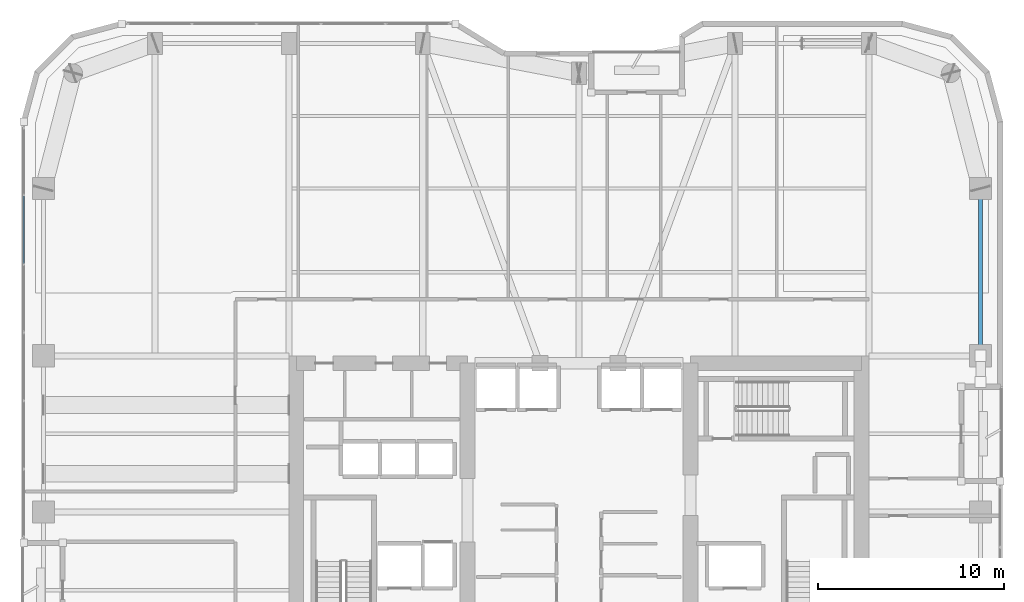
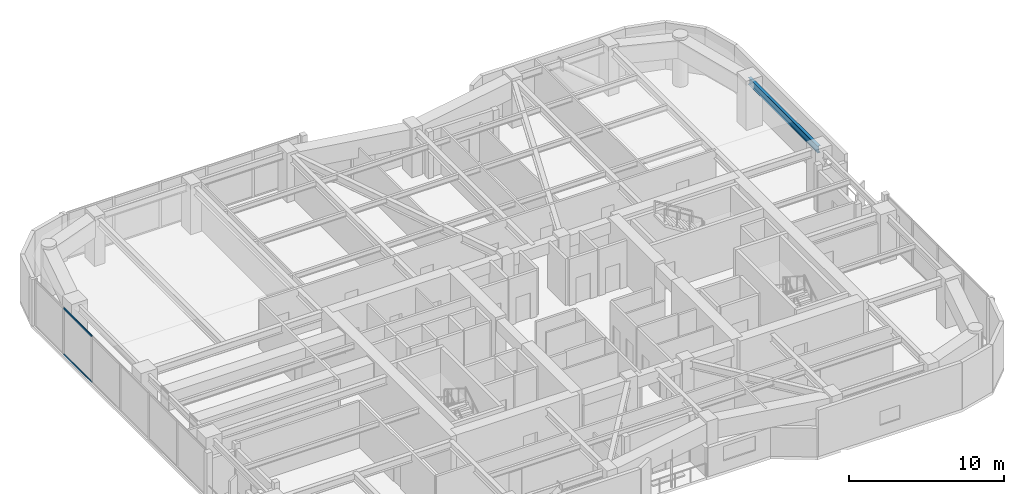
# One storey, part 12 of 30: 2 members, 1 beam, 1 element without a shape of its own.
"""IFC4 building model written with IfcOpenShell, lengths in metres."""

import ifcopenshell
import ifcopenshell.guid

model = None  # the IFC model being written
_history = None  # IfcOwnerHistory: only IFC2X3 demands one
_inside = {}  # id of a spatial element -> (the spatial element, [elements in it])
_under = {}  # id of a project, library or spatial element -> (it, [spatial elements below it])
_declared = {}  # id of a project -> (the project, [libraries it declares])
_typed = {}  # id of a type object -> (the type object, [elements of that type])
_made_of = {}  # id of a material, layer set ... -> (it, [elements and type objects made of it])


def new_model(schema):
    """Start an empty IFC model of exactly this schema.

    Asked for "IFC4X3", IfcOpenShell would pick the latest addendum, in which some entities
    have other attributes; the version numbers below select the first issue.
    IFC2X3 requires an IfcOwnerHistory on every rooted entity: one is made here for all.
    """
    global model, _history
    if schema == "IFC4X3":
        model = ifcopenshell.file(schema_version=(4, 3, 0, 0))
    else:
        model = ifcopenshell.file(schema=schema)
    _inside.clear()
    _under.clear()
    _declared.clear()
    _typed.clear()
    _made_of.clear()
    _history = None
    if model.schema == "IFC2X3":
        org = make("IfcOrganization", Name="unknown")
        user = make(
            "IfcPersonAndOrganization",
            ThePerson=make("IfcPerson", FamilyName="unknown"),
            TheOrganization=org,
        )
        app = make(
            "IfcApplication",
            ApplicationDeveloper=org,
            Version="unknown",
            ApplicationFullName="unknown",
            ApplicationIdentifier="unknown",
        )
        _history = make(
            "IfcOwnerHistory",
            OwningUser=user,
            OwningApplication=app,
            ChangeAction="ADDED",
            CreationDate=0,
        )
    return model


def make(cls, **values):
    """One entity of the class cls with the attributes given. An attribute that is None is left unset."""
    return model.create_entity(
        cls, **{name: value for name, value in values.items() if value is not None}
    )


def rooted(cls, **values):
    """An entity with a GlobalId (a new one), such as an element, a storey or a relation."""
    return make(cls, GlobalId=ifcopenshell.guid.new(), OwnerHistory=_history, **values)


def si_unit(unit_type, name, prefix=None):
    """IfcSIUnit, for example si_unit("LENGTHUNIT", "METRE", prefix="MILLI")."""
    return make("IfcSIUnit", UnitType=unit_type, Prefix=prefix, Name=name)


def assignment(units):
    """IfcUnitAssignment: the units of a project."""
    return None if units is None else make("IfcUnitAssignment", Units=units)


def point(xyz):
    """IfcCartesianPoint."""
    return None if xyz is None else make("IfcCartesianPoint", Coordinates=xyz)


def direction(xyz):
    """IfcDirection."""
    return None if xyz is None else make("IfcDirection", DirectionRatios=xyz)


def frame(location, z_axis=None, x_axis=None):
    """IfcAxis2Placement3D, a coordinate frame: its origin and axes. An axis left out is left unset."""
    return make(
        "IfcAxis2Placement3D",
        Location=point(location),
        Axis=direction(z_axis),
        RefDirection=direction(x_axis),
    )


def frame_2d(location, x_axis=None):
    """IfcAxis2Placement2D, a coordinate frame in the plane: its origin and x axis."""
    return make(
        "IfcAxis2Placement2D", Location=point(location), RefDirection=direction(x_axis)
    )


def origin():
    """The frame at (0, 0, 0) with its axes left unset."""
    return frame((0.0, 0.0, 0.0))


def origin_2d():
    """The frame at (0, 0) in the plane with its x axis left unset."""
    return frame_2d((0.0, 0.0))


def place(relative_to, where):
    """IfcLocalPlacement: puts the frame where relative to a parent placement (None: the world)."""
    return make(
        "IfcLocalPlacement", PlacementRelTo=relative_to, RelativePlacement=where
    )


def context(
    kind, dimensions, precision=None, world=None, true_north=None, identifier=None
):
    """IfcGeometricRepresentationContext, for example the 3D "Model" context."""
    return make(
        "IfcGeometricRepresentationContext",
        ContextIdentifier=identifier,
        ContextType=kind,
        CoordinateSpaceDimension=dimensions,
        Precision=precision,
        WorldCoordinateSystem=world,
        TrueNorth=true_north,
    )


def subcontext(parent, identifier, kind, view, scale=None):
    """IfcGeometricRepresentationSubContext, for example "Body" below "Model"."""
    return make(
        "IfcGeometricRepresentationSubContext",
        ContextIdentifier=identifier,
        ContextType=kind,
        ParentContext=parent,
        TargetScale=scale,
        TargetView=view,
    )


def project(units=None, contexts=None):
    """IfcProject with its units and contexts."""
    return rooted(
        "IfcProject",
        Name="project",
        RepresentationContexts=contexts,
        UnitsInContext=assignment(units),
    )


def spatial(cls, under=None, at=None, **own):
    """A site, building, storey or space (cls), placed at a placement, below another one or the project."""
    s = rooted(cls, ObjectPlacement=at, **own)
    if under is not None:
        _under.setdefault(under.id(), (under, []))[1].append(s)
    return s


def profile(cls, at=None, kind="AREA", **sizes):
    """A parametric profile (cls). Its sizes go by their IFC names, for example OverallWidth=200.0."""
    return make(cls, ProfileType=kind, Position=at, **sizes)


def hollow_rectangle(**sizes):
    """IfcRectangleHollowProfileDef."""
    return profile("IfcRectangleHollowProfileDef", **sizes)


def i_section(**sizes):
    """IfcIShapeProfileDef."""
    return profile("IfcIShapeProfileDef", **sizes)


def extrude(swept, where, along, depth):
    """IfcExtrudedAreaSolid: the profile swept, set in the frame where, extruded along a direction by depth."""
    return make(
        "IfcExtrudedAreaSolid",
        SweptArea=swept,
        Position=where,
        ExtrudedDirection=direction(along),
        Depth=depth,
    )


def shape(context_of_items, identifier, shape_type, items):
    """IfcShapeRepresentation: the items that make up one representation, for example the "Body"."""
    return make(
        "IfcShapeRepresentation",
        ContextOfItems=context_of_items,
        RepresentationIdentifier=identifier,
        RepresentationType=shape_type,
        Items=items,
    )


def material(Name=None, Category=None):
    """IfcMaterial."""
    return make("IfcMaterial", Name=Name, Category=Category)


def layer(
    of_material, thickness, ventilated=None, Name=None, Category=None, Priority=None
):
    """IfcMaterialLayer: one layer of a wall or slab, of a material (None: an air gap)."""
    return make(
        "IfcMaterialLayer",
        Material=of_material,
        LayerThickness=thickness,
        IsVentilated=ventilated,
        Name=Name,
        Category=Category,
        Priority=Priority,
    )


def layer_set(layers, Name=None):
    """IfcMaterialLayerSet."""
    return make("IfcMaterialLayerSet", MaterialLayers=layers, LayerSetName=Name)


def material_profile(
    of_material, cross_section, Name=None, Category=None, Priority=None
):
    """IfcMaterialProfile: a cross section and its material."""
    return make(
        "IfcMaterialProfile",
        Name=Name,
        Material=of_material,
        Profile=cross_section,
        Priority=Priority,
        Category=Category,
    )


def profile_set(profiles, Name=None, composite=None):
    """IfcMaterialProfileSet."""
    return make(
        "IfcMaterialProfileSet",
        Name=Name,
        MaterialProfiles=profiles,
        CompositeProfile=composite,
    )


def made_of(thing, what):
    """Note that an element or type object is made of a material, layer set ...; save() writes the relation."""
    if what is not None:
        _made_of.setdefault(what.id(), (what, []))[1].append(thing)
    return thing


def type_object(cls, material=None, **own):
    """A type object (cls), such as IfcWallType, which elements share."""
    return made_of(rooted(cls, **own), material)


def element(
    cls,
    number,
    at=None,
    inside=None,
    cuts=None,
    type_object=None,
    material=None,
    context=None,
    identifier="Body",
    shape_type=None,
    held_by="IfcProductDefinitionShape",
    body=None,
    shapes=None,
    **own,
):
    """One element of the class cls, such as IfcWall. Its Tag is "e" and its number.

    at: its placement. inside: the storey or other place that contains it. cuts: it is an
    opening in that element (IfcRelVoidsElement). A single representation is given by context,
    identifier, shape_type and body (its items); several are given by shapes. held_by: the class
    of the entity that holds the representations. save() writes the other relations.
    """
    e = rooted(cls, Tag="e%d" % number, ObjectPlacement=at, **own)
    if body is not None:
        shapes = [shape(context, identifier, shape_type, body)]
    if shapes is not None:
        e.Representation = make(held_by, Representations=shapes)
    if inside is not None:
        _inside.setdefault(inside.id(), (inside, []))[1].append(e)
    if cuts is not None:
        rooted(
            "IfcRelVoidsElement", RelatingBuildingElement=cuts, RelatedOpeningElement=e
        )
    if type_object is not None:
        _typed.setdefault(type_object.id(), (type_object, []))[1].append(e)
    return made_of(e, material)


def aggregate(whole, parts):
    """IfcRelAggregates: a whole, such as a stair, and the parts it consists of."""
    return rooted("IfcRelAggregates", RelatingObject=whole, RelatedObjects=parts)


def save(model, path):
    """Write the relations noted so far, then the file.

    IfcRelAggregates (storeys below a building ...), IfcRelContainedInSpatialStructure (elements
    in a storey), IfcRelDefinesByType, IfcRelAssociatesMaterial and IfcRelDeclares: one each for
    every whole, place, type object, material and project.
    """
    for whole, parts in _under.values():
        aggregate(whole, parts)
    for where, things in _inside.values():
        rooted(
            "IfcRelContainedInSpatialStructure",
            RelatedElements=things,
            RelatingStructure=where,
        )
    for kind, things in _typed.values():
        rooted("IfcRelDefinesByType", RelatedObjects=things, RelatingType=kind)
    for what, things in _made_of.values():
        rooted("IfcRelAssociatesMaterial", RelatedObjects=things, RelatingMaterial=what)
    for by, libraries in _declared.values():
        rooted("IfcRelDeclares", RelatingContext=by, RelatedDefinitions=libraries)
    model.write(path)


model = new_model("IFC4")

# Units and contexts
model_context = context("Model", 3, precision=1e-05, world=origin(), true_north=direction((0.0, 1.0)))
body_context = subcontext(model_context, "Body", "Model", "MODEL_VIEW")
ifc_project = project(units=[si_unit("LENGTHUNIT", "METRE"), si_unit("AREAUNIT", "SQUARE_METRE"), si_unit("VOLUMEUNIT", "CUBIC_METRE"), si_unit("PLANEANGLEUNIT", "RADIAN"), si_unit("MASSUNIT", "GRAM", prefix="KILO")], contexts=[model_context])

# Site, building, storey
site_placement = place(None, origin())
site = spatial("IfcSite", under=ifc_project, at=site_placement, CompositionType="ELEMENT")
building_placement = place(site_placement, origin())
building = spatial("IfcBuilding", under=site, at=building_placement, Name="Kiyonajd Concourse Tower", CompositionType="ELEMENT")
storey_placement = place(building_placement, frame((0.0, 0.0, 177.89990234375)))
storey = spatial("IfcBuildingStorey", under=building, at=storey_placement, Name="L45", CompositionType="ELEMENT", Elevation=177.89990234375)

# Beam
ifc_material_1 = material(Name="Steel ASTM A992 Grade 50", Category="steel")
ifc_material_profile_1 = material_profile(ifc_material_1, i_section(OverallWidth=0.214111328125, OverallDepth=0.549072265625, WebThickness=0.0146484375, FlangeThickness=0.023681640625, at=origin_2d()), Name="W530X138")
ifc_profile_set_1 = profile_set([ifc_material_profile_1], Name="Steel ASTM A992 Grade 50")
beam_type = type_object("IfcBeamType", Name="BM-SPAN-530A", PredefinedType="SPANDREL", material=ifc_profile_set_1)
beam_placement = place(storey_placement, frame((69.60009765625, 44.39990234375, 3.405517578125), z_axis=(0.0, 1.0, 0.0), x_axis=(-1.0, 0.0, 0.0)))
element("IfcBeam", 1, at=beam_placement, inside=storey, type_object=beam_type, Name="L45 Perimeter Bundled Tube Spandrel", PredefinedType="SPANDREL", context=body_context, shape_type="SweptSolid", body=[
    extrude(i_section(OverallWidth=0.214111328125, OverallDepth=0.549072265625, WebThickness=0.0146484375, FlangeThickness=0.023681640625, at=origin_2d()), origin(), (0.0, 0.0, 1.0), 9.0),
])

# Curtain wall, members
ifc_material_2 = material(Name="Thermally Broken Anodised Aluminium", Category="aluminium")
ifc_layer = layer(ifc_material_2, 0.179931640625)
ifc_layer_set = layer_set([ifc_layer], Name="Thermally Broken Anodised Aluminium")
curtain_wall_type = type_object("IfcCurtainWallType", Name="CW-SYS-03", PredefinedType="NOTDEFINED", material=ifc_layer_set)
curtain_wall_placement = place(storey_placement, origin())
curtain_wall = element("IfcCurtainWall", 2, at=curtain_wall_placement, inside=storey, type_object=curtain_wall_type, Name="L45 Unitised Curtain Wall CW3", PredefinedType="NOTDEFINED")
ifc_material_profile_2 = material_profile(ifc_material_2, hollow_rectangle(XDim=0.06494140625, YDim=0.139892578125, WallThickness=0.00390625, at=origin_2d()), Name="TRAN-65x140")
ifc_profile_set_2 = profile_set([ifc_material_profile_2], Name="Thermally Broken Anodised Aluminium")
member_type = type_object("IfcMemberType", Name="MB-CW-TRAN1", PredefinedType="USERDEFINED", material=ifc_profile_set_2)
member_1_placement = place(storey_placement, frame((18.139892578125, 49.3701171875, 0.03271484375), z_axis=(0.0, 1.0, 0.0), x_axis=(-1.0, 0.0, 0.0)))
member_1 = element("IfcMember", 3, at=member_1_placement, type_object=member_type, Name="CW3 transom 5.1", ObjectType="TRANSOM", PredefinedType="USERDEFINED", context=body_context, shape_type="SweptSolid", body=[
    extrude(hollow_rectangle(XDim=0.06494140625, YDim=0.139892578125, WallThickness=0.00390625, at=origin_2d()), origin(), (0.0, 0.0, 1.0), 3.612060546875),
])
member_2_placement = place(storey_placement, frame((18.139892578125, 49.3701171875, 3.647705078125), z_axis=(0.0, 1.0, 0.0), x_axis=(-1.0, 0.0, 0.0)))
member_2 = element("IfcMember", 4, at=member_2_placement, type_object=member_type, Name="CW3 transom 5.2", ObjectType="TRANSOM", PredefinedType="USERDEFINED", context=body_context, shape_type="SweptSolid", body=[
    extrude(hollow_rectangle(XDim=0.06494140625, YDim=0.139892578125, WallThickness=0.00390625, at=origin_2d()), origin(), (0.0, 0.0, 1.0), 3.612060546875),
])
aggregate(curtain_wall, [member_1, member_2])

save(model, "model.ifc")
